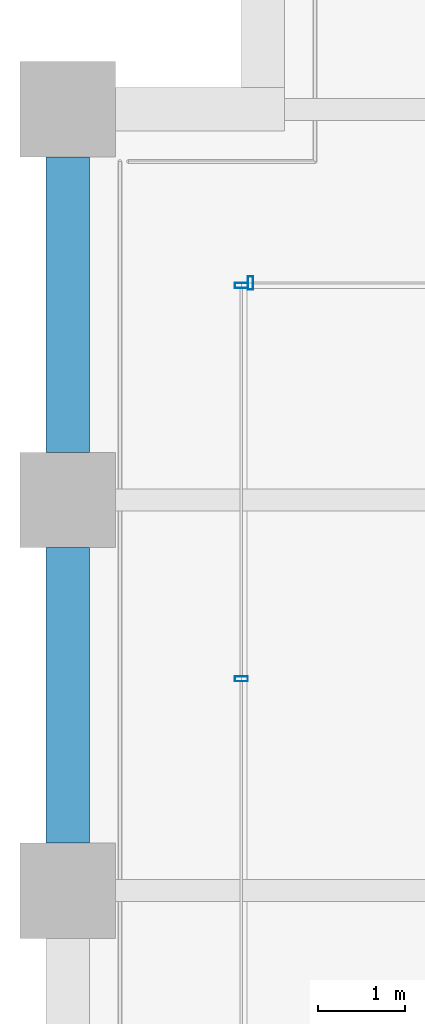
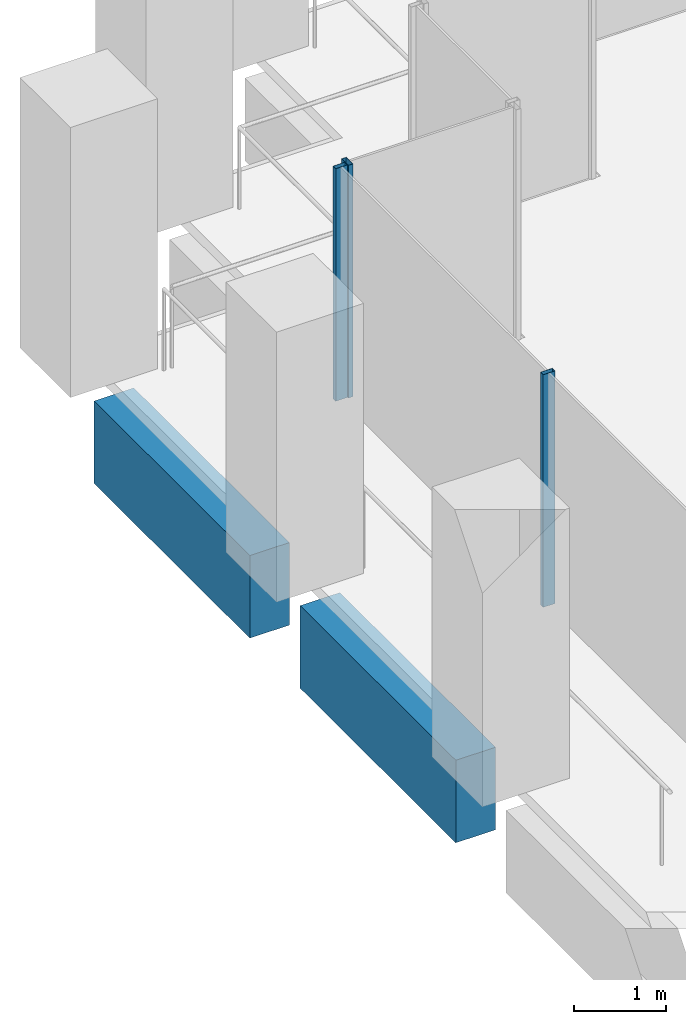
# One storey, part 23 of 54: 3 members, 2 beams, 2 elements without a shape of their own.
"""IFC4 building model written with IfcOpenShell, lengths in metres."""

from ifc_helpers import new_model, si_unit, direction, frame, origin, origin_2d, place, context, subcontext, project, spatial, rectangle, hollow_rectangle, extrude, material, material_profile, profile_set, type_object, element, aggregate, save


model = new_model("IFC4")

# Units and contexts
model_context = context("Model", 3, precision=1e-05, world=origin(), true_north=direction((0.0, 1.0)))
body_context = subcontext(model_context, "Body", "Model", "MODEL_VIEW")
ifc_project = project(units=[si_unit("LENGTHUNIT", "METRE"), si_unit("AREAUNIT", "SQUARE_METRE"), si_unit("VOLUMEUNIT", "CUBIC_METRE"), si_unit("PLANEANGLEUNIT", "RADIAN"), si_unit("MASSUNIT", "GRAM", prefix="KILO")], contexts=[model_context])

# Site, building, storey
site_placement = place(None, origin())
site = spatial("IfcSite", under=ifc_project, at=site_placement, CompositionType="ELEMENT")
building_placement = place(site_placement, origin())
building = spatial("IfcBuilding", under=site, at=building_placement, Name="Altepetl Exchange Towers", CompositionType="ELEMENT")
storey_placement = place(building_placement, frame((0.0, 0.0, 65.39990234375)))
storey = spatial("IfcBuildingStorey", under=building, at=storey_placement, Name="L15", CompositionType="ELEMENT", Elevation=65.39990234375)

# Curtain wall, member
ifc_material_1 = material(Name="Aluminium 6063-T6 glazing", Category="aluminium")
curtain_wall_type = type_object("IfcCurtainWallType", Name="Loggia glazing system", PredefinedType="NOTDEFINED", material=ifc_material_1)
curtain_wall_1_placement = place(storey_placement, origin())
curtain_wall_1 = element("IfcCurtainWall", 1, at=curtain_wall_1_placement, inside=storey, type_object=curtain_wall_type, Name="CW1 run", PredefinedType="NOTDEFINED")
ifc_material_2 = material(Name="Aluminium 6063-T6", Category="aluminium")
ifc_material_profile_1 = material_profile(ifc_material_2, hollow_rectangle(XDim=0.06005859375, YDim=0.14990234375, WallThickness=0.0029296875, at=origin_2d()), Name="Mullion 60x150 aluminium")
ifc_profile_set_1 = profile_set([ifc_material_profile_1], Name="Aluminium 6063-T6")
member_type = type_object("IfcMemberType", Name="Mullion 60x150 aluminium", PredefinedType="MULLION", material=ifc_profile_set_1)
member_1_placement = place(storey_placement, frame((29.10498046875, 65.5, 0.0), z_axis=(0.0, 0.0, 1.0), x_axis=(-1.0, 0.0, 0.0)))
member_1 = element("IfcMember", 2, at=member_1_placement, type_object=member_type, Name="MU1 mullion", PredefinedType="MULLION", context=body_context, shape_type="SweptSolid", body=[
    extrude(hollow_rectangle(XDim=0.06005859375, YDim=0.14990234375, WallThickness=0.0029296875, at=origin_2d()), origin(), (0.0, 0.0, 1.0), 3.10009765625),
])
aggregate(curtain_wall_1, [member_1])

# Curtain wall, members
curtain_wall_2_placement = place(storey_placement, origin())
curtain_wall_2 = element("IfcCurtainWall", 3, at=curtain_wall_2_placement, inside=storey, type_object=curtain_wall_type, Name="CW1 run", PredefinedType="NOTDEFINED")
member_2_placement = place(storey_placement, frame((29.0, 65.469970703125, 0.0), z_axis=(0.0, 0.0, 1.0), x_axis=(0.0, -1.0, 0.0)))
member_2 = element("IfcMember", 4, at=member_2_placement, type_object=member_type, Name="MU1 mullion", PredefinedType="MULLION", context=body_context, shape_type="SweptSolid", body=[
    extrude(hollow_rectangle(XDim=0.06005859375, YDim=0.14990234375, WallThickness=0.0029296875, at=origin_2d()), origin(), (0.0, 0.0, 1.0), 3.10009765625),
])
member_3_placement = place(storey_placement, frame((29.0, 60.939208984375, 0.0), z_axis=(0.0, 0.0, 1.0), x_axis=(0.0, -1.0, 0.0)))
member_3 = element("IfcMember", 5, at=member_3_placement, type_object=member_type, Name="MU1 mullion", PredefinedType="MULLION", context=body_context, shape_type="SweptSolid", body=[
    extrude(hollow_rectangle(XDim=0.06005859375, YDim=0.14990234375, WallThickness=0.0029296875, at=origin_2d()), origin(), (0.0, 0.0, 1.0), 3.10009765625),
])
aggregate(curtain_wall_2, [member_2, member_3])

# Beams
ifc_material_3 = material(Name="Concrete C50/60 precast with tezontle facing", Category="concrete")
ifc_material_profile_2 = material_profile(ifc_material_3, rectangle(XDim=0.5, YDim=1.10009765625, at=origin_2d()), Name="500 x 1100")
ifc_profile_set_2 = profile_set([ifc_material_profile_2], Name="Concrete C50/60 precast with tezontle facing")
beam_type = type_object("IfcBeamType", Name="Spandrel beam 500x1100 tezontle", PredefinedType="SPANDREL", material=ifc_profile_set_2)
for number, where, z_axis, x_axis, name in (
    (6, (27.0, 66.949951171875, -0.699951171875), (0.0, -1.0, 0.0), (1.0, 0.0, 0.0), "sp:A:L15:036"),
    (7, (27.0, 62.449951171875, -0.699951171875), (0.0, -1.0, 0.0), (1.0, 0.0, 0.0), "sp:A:L15:037"),
):
    element("IfcBeam", number, at=place(storey_placement, frame(where, z_axis=z_axis, x_axis=x_axis)), inside=storey, type_object=beam_type, Name=name, PredefinedType="SPANDREL", context=body_context, shape_type="SweptSolid", body=[
        extrude(rectangle(XDim=0.5, YDim=1.10009765625, at=origin_2d()), origin(), (0.0, 0.0, 1.0), 3.39990234375),
    ])

save(model, "model.ifc")
